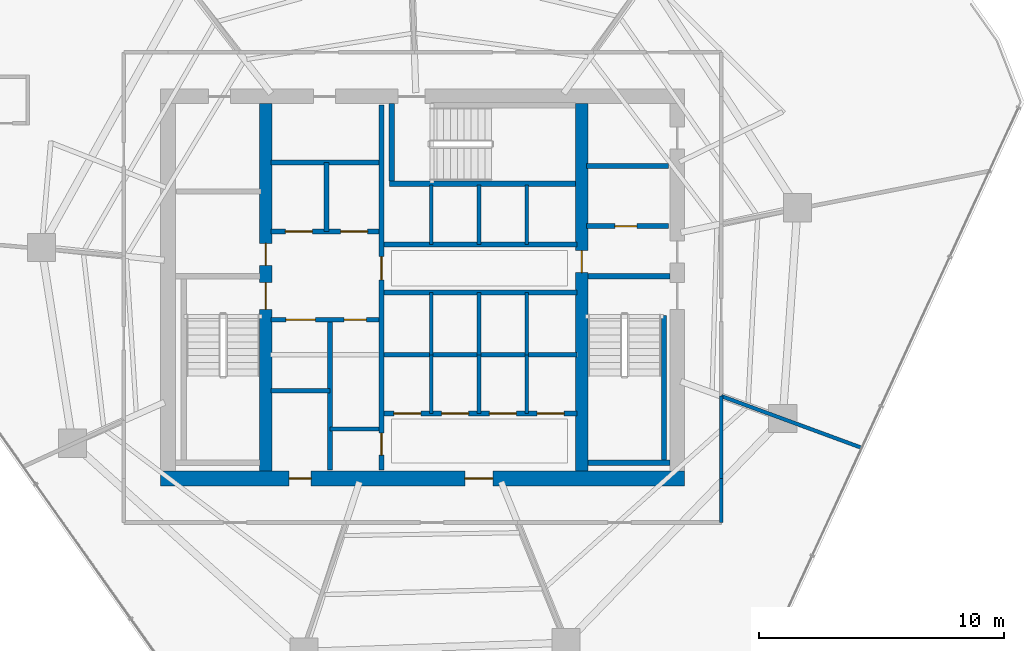
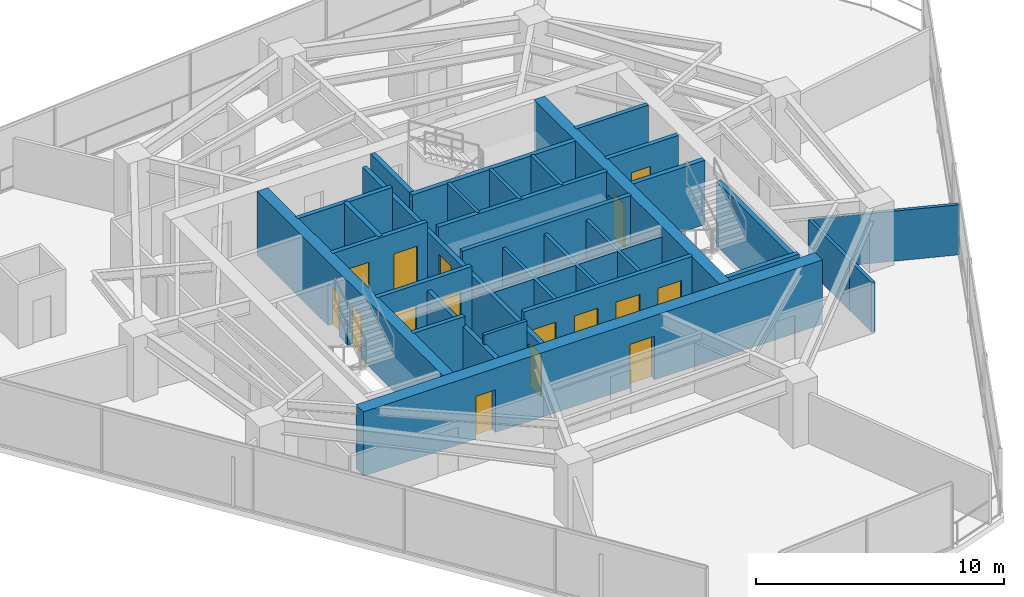
# One storey, part 25 of 30: 34 walls, 16 doors, 16 openings.
"""IFC4 building model written with IfcOpenShell, lengths in metres."""

from ifc_helpers import new_model, si_unit, direction, frame, frame_2d, origin, place, context, subcontext, project, spatial, rectangle, extrude, material, layer, layer_set, type_object, element, fill, save


model = new_model("IFC4")

# Units and contexts
model_context = context("Model", 3, precision=1e-05, world=origin(), true_north=direction((0.0, 1.0)))
body_context = subcontext(model_context, "Body", "Model", "MODEL_VIEW")
ifc_project = project(units=[si_unit("LENGTHUNIT", "METRE"), si_unit("AREAUNIT", "SQUARE_METRE"), si_unit("VOLUMEUNIT", "CUBIC_METRE"), si_unit("PLANEANGLEUNIT", "RADIAN"), si_unit("MASSUNIT", "GRAM", prefix="KILO")], contexts=[model_context])

# Site, building, storey
site_placement = place(None, origin())
site = spatial("IfcSite", under=ifc_project, at=site_placement, CompositionType="ELEMENT")
building_placement = place(site_placement, origin())
building = spatial("IfcBuilding", under=site, at=building_placement, Name="Qarnah Convention Tower", CompositionType="ELEMENT")
storey_placement = place(building_placement, frame((0.0, 0.0, 86.699951171875)))
storey = spatial("IfcBuildingStorey", under=building, at=storey_placement, Name="L22", CompositionType="ELEMENT", Elevation=86.699951171875)

# Wall, openings, doors
ifc_material_1 = material(Name="Concrete C60/75", Category="concrete")
ifc_layer_1 = layer(ifc_material_1, 0.60009765625)
ifc_layer_set_1 = layer_set([ifc_layer_1], Name="Concrete C60/75")
wall_type_1 = type_object("IfcWallType", Name="WL-CORE-600", PredefinedType="SHEAR", material=ifc_layer_set_1)
wall_1_placement = place(storey_placement, frame((26.5, 18.60009765625, 0.0), z_axis=(0.0, 0.0, 1.0), x_axis=(1.0, 0.0, 0.0)))
wall_1 = element("IfcWall", 1, at=wall_1_placement, inside=storey, type_object=wall_type_1, Name="L22 core south shear wall", PredefinedType="SHEAR", context=body_context, shape_type="SweptSolid", body=[
    extrude(rectangle(XDim=21.39990234375, YDim=0.60009765625, at=frame_2d((10.699951171875, 0.0))), origin(), (0.0, 0.0, 1.0), 3.170166015625),
])
opening_1_placement = place(wall_1_placement, frame((12.425048828125, 0.0, 0.0)))
opening_1 = element("IfcOpeningElement", 2, at=opening_1_placement, cuts=wall_1, Name="Opening D-2207", PredefinedType="OPENING", context=body_context, shape_type="SweptSolid", body=[
    extrude(rectangle(XDim=1.14990234375, YDim=2.14990234375, at=frame_2d((0.574951171875, 1.074951171875))), frame((0.0, 0.31005859375, 0.0), z_axis=(0.0, -1.0, 0.0), x_axis=(1.0, 0.0, 0.0)), (0.0, 0.0, 1.0), 0.6201171875),
])
opening_2_placement = place(wall_1_placement, frame((5.25, 0.0, 0.0)))
opening_2 = element("IfcOpeningElement", 3, at=opening_2_placement, cuts=wall_1, Name="Opening D-2213", PredefinedType="OPENING", context=body_context, shape_type="SweptSolid", body=[
    extrude(rectangle(XDim=0.89990234375, YDim=2.10009765625, at=frame_2d((0.449951171875, 1.050048828125))), frame((0.0, 0.31005859375, 0.0), z_axis=(0.0, -1.0, 0.0), x_axis=(1.0, 0.0, 0.0)), (0.0, 0.0, 1.0), 0.6201171875),
])
ifc_material_2 = material(Name="Structural steel S355JR", Category="steel")
door_type_1 = type_object("IfcDoorType", Name="DT-LOBBY-1150", OperationType="NOTDEFINED", PredefinedType="DOOR", material=ifc_material_2)
door_1_placement = place(opening_1_placement, origin())
door_1 = element("IfcDoor", 4, at=door_1_placement, inside=storey, type_object=door_type_1, Name="Door D-2207", OperationType="SINGLE_SWING_RIGHT", OverallHeight=2.14990234375, OverallWidth=1.14990234375, PredefinedType="DOOR", context=body_context, shape_type="SweptSolid", body=[
    extrude(rectangle(XDim=1.14990234375, YDim=2.14990234375, at=frame_2d((0.574951171875, 1.074951171875))), frame((0.0, 0.02490234375, 0.0), z_axis=(0.0, -1.0, 0.0), x_axis=(1.0, 0.0, 0.0)), (0.0, 0.0, 1.0), 0.050048828125),
])
fill(opening_1, door_1)
door_type_2 = type_object("IfcDoorType", Name="DT-RISER-900", OperationType="NOTDEFINED", PredefinedType="DOOR", material=ifc_material_2)
door_2_placement = place(opening_2_placement, origin())
door_2 = element("IfcDoor", 5, at=door_2_placement, inside=storey, type_object=door_type_2, Name="Door D-2213", OperationType="SINGLE_SWING_RIGHT", OverallHeight=2.10009765625, OverallWidth=0.89990234375, PredefinedType="DOOR", context=body_context, shape_type="SweptSolid", body=[
    extrude(rectangle(XDim=0.89990234375, YDim=2.10009765625, at=frame_2d((0.449951171875, 1.050048828125))), frame((0.0, 0.02490234375, 0.0), z_axis=(0.0, -1.0, 0.0), x_axis=(1.0, 0.0, 0.0)), (0.0, 0.0, 1.0), 0.050048828125),
])
fill(opening_2, door_2)

ifc_layer_2 = layer(ifc_material_1, 0.5)
ifc_layer_set_2 = layer_set([ifc_layer_2], Name="Concrete C60/75")
wall_type_2 = type_object("IfcWallType", Name="WL-CORE-INT-400", PredefinedType="SHEAR", material=ifc_layer_set_2)
wall_2_placement = place(storey_placement, frame((30.800048828125, 18.89990234375, 0.0), z_axis=(0.0, 0.0, 1.0), x_axis=(0.0, 1.0, 0.0)))
wall_2 = element("IfcWall", 6, at=wall_2_placement, inside=storey, type_object=wall_type_2, Name="L22 core west spine shear wall", PredefinedType="SHEAR", context=body_context, shape_type="SweptSolid", body=[
    extrude(rectangle(XDim=15.0, YDim=0.5, at=frame_2d((7.5, 0.0))), origin(), (0.0, 0.0, 1.0), 3.170166015625),
])
opening_3_placement = place(wall_2_placement, frame((6.60009765625, 0.0, 0.0)))
opening_3 = element("IfcOpeningElement", 7, at=opening_3_placement, cuts=wall_2, Name="Opening D-2201", PredefinedType="OPENING", context=body_context, shape_type="SweptSolid", body=[
    extrude(rectangle(XDim=1.10009765625, YDim=2.14990234375, at=frame_2d((0.550048828125, 1.074951171875))), frame((0.0, 0.260009765625, 0.0), z_axis=(0.0, -1.0, 0.0), x_axis=(1.0, 0.0, 0.0)), (0.0, 0.0, 1.0), 0.52001953125),
])
opening_4_placement = place(wall_2_placement, frame((8.39990234375, 0.0, 0.0)))
opening_4 = element("IfcOpeningElement", 8, at=opening_4_placement, cuts=wall_2, Name="Opening D-2208", PredefinedType="OPENING", context=body_context, shape_type="SweptSolid", body=[
    extrude(rectangle(XDim=0.89990234375, YDim=2.10009765625, at=frame_2d((0.449951171875, 1.050048828125))), frame((0.0, 0.260009765625, 0.0), z_axis=(0.0, -1.0, 0.0), x_axis=(1.0, 0.0, 0.0)), (0.0, 0.0, 1.0), 0.52001953125),
])
door_3_placement = place(opening_4_placement, origin())
door_3 = element("IfcDoor", 9, at=door_3_placement, inside=storey, type_object=door_type_2, Name="Door D-2208", OperationType="SINGLE_SWING_LEFT", OverallHeight=2.10009765625, OverallWidth=0.89990234375, PredefinedType="DOOR", context=body_context, shape_type="SweptSolid", body=[
    extrude(rectangle(XDim=0.89990234375, YDim=2.10009765625, at=frame_2d((0.449951171875, 1.050048828125))), frame((0.0, 0.02490234375, 0.0), z_axis=(0.0, -1.0, 0.0), x_axis=(1.0, 0.0, 0.0)), (0.0, 0.0, 1.0), 0.050048828125),
])
fill(opening_4, door_3)
door_type_3 = type_object("IfcDoorType", Name="DT-STAIR-1100", OperationType="NOTDEFINED", PredefinedType="DOOR", material=ifc_material_2)
door_4_placement = place(opening_3_placement, origin())
door_4 = element("IfcDoor", 10, at=door_4_placement, inside=storey, type_object=door_type_3, Name="Door D-2201", OperationType="SINGLE_SWING_RIGHT", OverallHeight=2.14990234375, OverallWidth=1.10009765625, PredefinedType="DOOR", context=body_context, shape_type="SweptSolid", body=[
    extrude(rectangle(XDim=1.10009765625, YDim=2.14990234375, at=frame_2d((0.550048828125, 1.074951171875))), frame((0.0, 0.02490234375, 0.0), z_axis=(0.0, -1.0, 0.0), x_axis=(1.0, 0.0, 0.0)), (0.0, 0.0, 1.0), 0.050048828125),
])
fill(opening_3, door_4)

# Wall, opening, door
wall_3_placement = place(storey_placement, frame((43.699951171875, 18.89990234375, 0.0), z_axis=(0.0, 0.0, 1.0), x_axis=(0.0, 1.0, 0.0)))
wall_3 = element("IfcWall", 11, at=wall_3_placement, inside=storey, type_object=wall_type_2, Name="L22 core east spine shear wall", PredefinedType="SHEAR", context=body_context, shape_type="SweptSolid", body=[
    extrude(rectangle(XDim=15.0, YDim=0.5, at=frame_2d((7.5, 0.0))), origin(), (0.0, 0.0, 1.0), 3.170166015625),
])
opening_5_placement = place(wall_3_placement, frame((8.10009765625, 0.0, 0.0)))
opening_5 = element("IfcOpeningElement", 12, at=opening_5_placement, cuts=wall_3, Name="Opening D-2205", PredefinedType="OPENING", context=body_context, shape_type="SweptSolid", body=[
    extrude(rectangle(XDim=0.89990234375, YDim=2.10009765625, at=frame_2d((0.449951171875, 1.050048828125))), frame((0.0, 0.260009765625, 0.0), z_axis=(0.0, -1.0, 0.0), x_axis=(1.0, 0.0, 0.0)), (0.0, 0.0, 1.0), 0.52001953125),
])
door_5_placement = place(opening_5_placement, origin())
door_5 = element("IfcDoor", 13, at=door_5_placement, inside=storey, type_object=door_type_2, Name="Door D-2205", OperationType="SINGLE_SWING_RIGHT", OverallHeight=2.10009765625, OverallWidth=0.89990234375, PredefinedType="DOOR", context=body_context, shape_type="SweptSolid", body=[
    extrude(rectangle(XDim=0.89990234375, YDim=2.10009765625, at=frame_2d((0.449951171875, 1.050048828125))), frame((0.0, 0.02490234375, 0.0), z_axis=(0.0, -1.0, 0.0), x_axis=(1.0, 0.0, 0.0)), (0.0, 0.0, 1.0), 0.050048828125),
])
fill(opening_5, door_5)

ifc_material_3 = material(Name="Concrete C45/55", Category="concrete")
ifc_layer_3 = layer(ifc_material_3, 0.199951171875)
ifc_layer_set_3 = layer_set([ifc_layer_3], Name="Concrete C45/55")
wall_type_3 = type_object("IfcWallType", Name="WL-CORE-PART-200", PredefinedType="SOLIDWALL", material=ifc_layer_set_3)
wall_4_placement = place(storey_placement, frame((43.89990234375, 28.89990234375, 0.0), z_axis=(0.0, 0.0, 1.0), x_axis=(1.0, 0.0, 0.0)))
wall_4 = element("IfcWall", 14, at=wall_4_placement, inside=storey, type_object=wall_type_3, Name="L22 interior wall IW-L22-EVSTN", PredefinedType="SOLIDWALL", context=body_context, shape_type="SweptSolid", body=[
    extrude(rectangle(XDim=3.35009765625, YDim=0.199951171875, at=frame_2d((1.675048828125, 0.0))), origin(), (0.0, 0.0, 1.0), 3.170166015625),
])
opening_6_placement = place(wall_4_placement, frame((1.14990234375, 0.0, 0.0)))
opening_6 = element("IfcOpeningElement", 15, at=opening_6_placement, cuts=wall_4, Name="Opening D-2211", PredefinedType="OPENING", context=body_context, shape_type="SweptSolid", body=[
    extrude(rectangle(XDim=0.89990234375, YDim=2.10009765625, at=frame_2d((0.449951171875, 1.050048828125))), frame((0.0, 0.10986328125, 0.0), z_axis=(0.0, -1.0, 0.0), x_axis=(1.0, 0.0, 0.0)), (0.0, 0.0, 1.0), 0.219970703125),
])
door_6_placement = place(opening_6_placement, origin())
door_6 = element("IfcDoor", 16, at=door_6_placement, inside=storey, type_object=door_type_2, Name="Door D-2211", OperationType="SINGLE_SWING_RIGHT", OverallHeight=2.10009765625, OverallWidth=0.89990234375, PredefinedType="DOOR", context=body_context, shape_type="SweptSolid", body=[
    extrude(rectangle(XDim=0.89990234375, YDim=2.10009765625, at=frame_2d((0.449951171875, 1.050048828125))), frame((0.0, 0.02490234375, 0.0), z_axis=(0.0, -1.0, 0.0), x_axis=(1.0, 0.0, 0.0)), (0.0, 0.0, 1.0), 0.050048828125),
])
fill(opening_6, door_6)

# Wall
wall_5_placement = place(storey_placement, frame((43.89990234375, 31.35009765625, 0.0), z_axis=(0.0, 0.0, 1.0), x_axis=(1.0, 0.0, 0.0)))
element("IfcWall", 17, at=wall_5_placement, inside=storey, type_object=wall_type_3, Name="L22 interior wall IW-L22-WTRN", PredefinedType="SOLIDWALL", context=body_context, shape_type="SweptSolid", body=[
    extrude(rectangle(XDim=3.35009765625, YDim=0.199951171875, at=frame_2d((1.675048828125, 0.0))), origin(), (0.0, 0.0, 1.0), 3.170166015625),
])

# Wall, openings, doors
wall_6_placement = place(storey_placement, frame((35.52001953125, 18.949951171875, 0.0), z_axis=(0.0, 0.0, 1.0), x_axis=(0.0, 1.0, 0.0)))
wall_6 = element("IfcWall", 18, at=wall_6_placement, inside=storey, type_object=wall_type_3, Name="L22 interior wall IW-L22-CSP", PredefinedType="SOLIDWALL", context=body_context, shape_type="SweptSolid", body=[
    extrude(rectangle(XDim=14.900146484375, YDim=0.199951171875, at=frame_2d((7.4501953125, 0.0))), origin(), (0.0, 0.0, 1.0), 2.691162109375),
])
opening_7_placement = place(wall_6_placement, frame((7.7548828125, 0.0, 0.0)))
opening_7 = element("IfcOpeningElement", 19, at=opening_7_placement, cuts=wall_6, Name="Opening D-2204", PredefinedType="OPENING", context=body_context, shape_type="SweptSolid", body=[
    extrude(rectangle(XDim=0.949951171875, YDim=2.14990234375, at=frame_2d((0.47509765625, 1.074951171875))), frame((0.0, 0.10986328125, 0.0), z_axis=(0.0, -1.0, 0.0), x_axis=(1.0, 0.0, 0.0)), (0.0, 0.0, 1.0), 0.219970703125),
])
opening_8_placement = place(wall_6_placement, frame((0.60009765625, 0.0, 0.0)))
opening_8 = element("IfcOpeningElement", 20, at=opening_8_placement, cuts=wall_6, Name="Opening D-2214", PredefinedType="OPENING", context=body_context, shape_type="SweptSolid", body=[
    extrude(rectangle(XDim=0.89990234375, YDim=2.10009765625, at=frame_2d((0.449951171875, 1.050048828125))), frame((0.0, 0.10986328125, 0.0), z_axis=(0.0, -1.0, 0.0), x_axis=(1.0, 0.0, 0.0)), (0.0, 0.0, 1.0), 0.219970703125),
])
ifc_material_4 = material(Name="Oak timber veneer", Category="wood")
door_type_4 = type_object("IfcDoorType", Name="DT-HOTEL-950", OperationType="NOTDEFINED", PredefinedType="DOOR", material=ifc_material_4)
door_7_placement = place(opening_7_placement, origin())
door_7 = element("IfcDoor", 21, at=door_7_placement, inside=storey, type_object=door_type_4, Name="Door D-2204", OperationType="SINGLE_SWING_LEFT", OverallHeight=2.14990234375, OverallWidth=0.949951171875, PredefinedType="DOOR", context=body_context, shape_type="SweptSolid", body=[
    extrude(rectangle(XDim=0.949951171875, YDim=2.14990234375, at=frame_2d((0.47509765625, 1.074951171875))), frame((0.0, 0.02490234375, 0.0), z_axis=(0.0, -1.0, 0.0), x_axis=(1.0, 0.0, 0.0)), (0.0, 0.0, 1.0), 0.050048828125),
])
fill(opening_7, door_7)
door_8_placement = place(opening_8_placement, origin())
door_8 = element("IfcDoor", 22, at=door_8_placement, inside=storey, type_object=door_type_2, Name="Door D-2214", OperationType="SINGLE_SWING_LEFT", OverallHeight=2.10009765625, OverallWidth=0.89990234375, PredefinedType="DOOR", context=body_context, shape_type="SweptSolid", body=[
    extrude(rectangle(XDim=0.89990234375, YDim=2.10009765625, at=frame_2d((0.449951171875, 1.050048828125))), frame((0.0, 0.02490234375, 0.0), z_axis=(0.0, -1.0, 0.0), x_axis=(1.0, 0.0, 0.0)), (0.0, 0.0, 1.0), 0.050048828125),
])
fill(opening_8, door_8)

wall_7_placement = place(storey_placement, frame((31.0, 28.679931640625, 0.0), z_axis=(0.0, 0.0, 1.0), x_axis=(1.0, 0.0, 0.0)))
wall_7 = element("IfcWall", 23, at=wall_7_placement, inside=storey, type_object=wall_type_3, Name="L22 interior wall IW-L22-FFLS", PredefinedType="SOLIDWALL", context=body_context, shape_type="SweptSolid", body=[
    extrude(rectangle(XDim=4.419921875, YDim=0.199951171875, at=frame_2d((2.2099609375, 0.0))), origin(), (0.0, 0.0, 1.0), 3.170166015625),
])
opening_9_placement = place(wall_7_placement, frame((0.60009765625, 0.0, 0.0)))
opening_9 = element("IfcOpeningElement", 24, at=opening_9_placement, cuts=wall_7, Name="Opening LD-2201", PredefinedType="OPENING", context=body_context, shape_type="SweptSolid", body=[
    extrude(rectangle(XDim=1.10009765625, YDim=2.14990234375, at=frame_2d((0.550048828125, 1.074951171875))), frame((0.0, 0.10986328125, 0.0), z_axis=(0.0, -1.0, 0.0), x_axis=(1.0, 0.0, 0.0)), (0.0, 0.0, 1.0), 0.219970703125),
])
opening_10_placement = place(wall_7_placement, frame((2.85009765625, 0.0, 0.0)))
opening_10 = element("IfcOpeningElement", 25, at=opening_10_placement, cuts=wall_7, Name="Opening LD-2202", PredefinedType="OPENING", context=body_context, shape_type="SweptSolid", body=[
    extrude(rectangle(XDim=1.10009765625, YDim=2.14990234375, at=frame_2d((0.550048828125, 1.074951171875))), frame((0.0, 0.10986328125, 0.0), z_axis=(0.0, -1.0, 0.0), x_axis=(1.0, 0.0, 0.0)), (0.0, 0.0, 1.0), 0.219970703125),
])
door_type_5 = type_object("IfcDoorType", Name="DT-LIFT-1100", OperationType="SLIDING_TO_LEFT", PredefinedType="DOOR", material=ifc_material_2)
door_9_placement = place(opening_9_placement, origin())
door_9 = element("IfcDoor", 26, at=door_9_placement, inside=storey, type_object=door_type_5, Name="Door LD-2201", OperationType="SLIDING_TO_LEFT", OverallHeight=2.14990234375, OverallWidth=1.10009765625, PredefinedType="DOOR", context=body_context, shape_type="SweptSolid", body=[
    extrude(rectangle(XDim=1.10009765625, YDim=2.14990234375, at=frame_2d((0.550048828125, 1.074951171875))), frame((0.0, 0.02490234375, 0.0), z_axis=(0.0, -1.0, 0.0), x_axis=(1.0, 0.0, 0.0)), (0.0, 0.0, 1.0), 0.050048828125),
])
fill(opening_9, door_9)
door_10_placement = place(opening_10_placement, origin())
door_10 = element("IfcDoor", 27, at=door_10_placement, inside=storey, type_object=door_type_5, Name="Door LD-2202", OperationType="SLIDING_TO_LEFT", OverallHeight=2.14990234375, OverallWidth=1.10009765625, PredefinedType="DOOR", context=body_context, shape_type="SweptSolid", body=[
    extrude(rectangle(XDim=1.10009765625, YDim=2.14990234375, at=frame_2d((0.550048828125, 1.074951171875))), frame((0.0, 0.02490234375, 0.0), z_axis=(0.0, -1.0, 0.0), x_axis=(1.0, 0.0, 0.0)), (0.0, 0.0, 1.0), 0.050048828125),
])
fill(opening_10, door_10)

# Walls
wall_8_placement = place(storey_placement, frame((31.0, 31.5, 0.0), z_axis=(0.0, 0.0, 1.0), x_axis=(1.0, 0.0, 0.0)))
element("IfcWall", 28, at=wall_8_placement, inside=storey, type_object=wall_type_3, Name="L22 interior wall IW-L22-FFLN", PredefinedType="SOLIDWALL", context=body_context, shape_type="SweptSolid", body=[
    extrude(rectangle(XDim=4.419921875, YDim=0.199951171875, at=frame_2d((2.2099609375, 0.0))), origin(), (0.0, 0.0, 1.0), 3.170166015625),
])
wall_9_placement = place(storey_placement, frame((33.280029296875, 28.679931640625, 0.0), z_axis=(0.0, 0.0, 1.0), x_axis=(0.0, 1.0, 0.0)))
element("IfcWall", 29, at=wall_9_placement, inside=storey, type_object=wall_type_3, Name="L22 interior wall IW-L22-FFLM", PredefinedType="SOLIDWALL", context=body_context, shape_type="SweptSolid", body=[
    extrude(rectangle(XDim=2.820068359375, YDim=0.199951171875, at=frame_2d((1.41015625, 0.0))), origin(), (0.0, 0.0, 1.0), 3.170166015625),
])

# Wall, openings, doors
wall_10_placement = place(storey_placement, frame((31.0, 25.080078125, 0.0), z_axis=(0.0, 0.0, 1.0), x_axis=(1.0, 0.0, 0.0)))
wall_10 = element("IfcWall", 30, at=wall_10_placement, inside=storey, type_object=wall_type_3, Name="L22 interior wall IW-L22-FFLBS", PredefinedType="SOLIDWALL", context=body_context, shape_type="SweptSolid", body=[
    extrude(rectangle(XDim=4.419921875, YDim=0.199951171875, at=frame_2d((2.2099609375, 0.0))), origin(), (0.0, 0.0, 1.0), 3.170166015625),
])
opening_11_placement = place(wall_10_placement, frame((3.0, 0.0, 0.0)))
opening_11 = element("IfcOpeningElement", 31, at=opening_11_placement, cuts=wall_10, Name="Opening D-2215", PredefinedType="OPENING", context=body_context, shape_type="SweptSolid", body=[
    extrude(rectangle(XDim=0.89990234375, YDim=2.10009765625, at=frame_2d((0.449951171875, 1.050048828125))), frame((0.0, 0.10986328125, 0.0), z_axis=(0.0, -1.0, 0.0), x_axis=(1.0, 0.0, 0.0)), (0.0, 0.0, 1.0), 0.219970703125),
])
opening_12_placement = place(wall_10_placement, frame((0.6201171875, 0.0, 0.0)))
opening_12 = element("IfcOpeningElement", 32, at=opening_12_placement, cuts=wall_10, Name="Opening LD-2203", PredefinedType="OPENING", context=body_context, shape_type="SweptSolid", body=[
    extrude(rectangle(XDim=1.199951171875, YDim=2.14990234375, at=frame_2d((0.60009765625, 1.074951171875))), frame((0.0, 0.10986328125, 0.0), z_axis=(0.0, -1.0, 0.0), x_axis=(1.0, 0.0, 0.0)), (0.0, 0.0, 1.0), 0.219970703125),
])
door_type_6 = type_object("IfcDoorType", Name="DT-LIFT-1200", OperationType="SLIDING_TO_LEFT", PredefinedType="DOOR", material=ifc_material_2)
door_11_placement = place(opening_12_placement, origin())
door_11 = element("IfcDoor", 33, at=door_11_placement, inside=storey, type_object=door_type_6, Name="Door LD-2203", OperationType="SLIDING_TO_LEFT", OverallHeight=2.14990234375, OverallWidth=1.199951171875, PredefinedType="DOOR", context=body_context, shape_type="SweptSolid", body=[
    extrude(rectangle(XDim=1.199951171875, YDim=2.14990234375, at=frame_2d((0.60009765625, 1.074951171875))), frame((0.0, 0.02490234375, 0.0), z_axis=(0.0, -1.0, 0.0), x_axis=(1.0, 0.0, 0.0)), (0.0, 0.0, 1.0), 0.050048828125),
])
fill(opening_12, door_11)
door_12_placement = place(opening_11_placement, origin())
door_12 = element("IfcDoor", 34, at=door_12_placement, inside=storey, type_object=door_type_2, Name="Door D-2215", OperationType="SINGLE_SWING_RIGHT", OverallHeight=2.10009765625, OverallWidth=0.89990234375, PredefinedType="DOOR", context=body_context, shape_type="SweptSolid", body=[
    extrude(rectangle(XDim=0.89990234375, YDim=2.10009765625, at=frame_2d((0.449951171875, 1.050048828125))), frame((0.0, 0.02490234375, 0.0), z_axis=(0.0, -1.0, 0.0), x_axis=(1.0, 0.0, 0.0)), (0.0, 0.0, 1.0), 0.050048828125),
])
fill(opening_11, door_12)

# Walls
wall_11_placement = place(storey_placement, frame((33.419921875, 18.949951171875, 0.0), z_axis=(0.0, 0.0, 1.0), x_axis=(0.0, 1.0, 0.0)))
element("IfcWall", 35, at=wall_11_placement, inside=storey, type_object=wall_type_3, Name="L22 interior wall IW-L22-SVLE", PredefinedType="SOLIDWALL", context=body_context, shape_type="SweptSolid", body=[
    extrude(rectangle(XDim=6.130126953125, YDim=0.199951171875, at=frame_2d((3.06494140625, 0.0))), origin(), (0.0, 0.0, 1.0), 2.691162109375),
])
wall_12_placement = place(storey_placement, frame((31.0, 22.179931640625, 0.0), z_axis=(0.0, 0.0, 1.0), x_axis=(1.0, 0.0, 0.0)))
element("IfcWall", 36, at=wall_12_placement, inside=storey, type_object=wall_type_3, Name="L22 interior wall IW-L22-SVLS", PredefinedType="SOLIDWALL", context=body_context, shape_type="SweptSolid", body=[
    extrude(rectangle(XDim=2.419921875, YDim=0.199951171875, at=frame_2d((1.2099609375, 0.0))), origin(), (0.0, 0.0, 1.0), 3.170166015625),
])
for number, where, z_axis, x_axis, name in (
    (37, (35.6201171875, 28.14990234375, 0.0), (0.0, 0.0, 1.0), (1.0, 0.0, 0.0), "L22 interior wall IW-L22-PHS"),
    (38, (35.6201171875, 26.199951171875, 0.0), (0.0, 0.0, 1.0), (1.0, 0.0, 0.0), "L22 interior wall IW-L22-PMN"),
):
    element("IfcWall", number, at=place(storey_placement, frame(where, z_axis=z_axis, x_axis=x_axis)), inside=storey, type_object=wall_type_3, Name=name, PredefinedType="SOLIDWALL", context=body_context, shape_type="SweptSolid", body=[
        extrude(rectangle(XDim=7.8798828125, YDim=0.199951171875, at=frame_2d((3.93994140625, 0.0))), origin(), (0.0, 0.0, 1.0), 3.170166015625),
    ])
wall_13_placement = place(storey_placement, frame((35.6201171875, 23.64990234375, 0.0), z_axis=(0.0, 0.0, 1.0), x_axis=(1.0, 0.0, 0.0)))
element("IfcWall", 39, at=wall_13_placement, inside=storey, type_object=wall_type_3, Name="L22 interior wall IW-L22-PMPL", PredefinedType="SOLIDWALL", context=body_context, shape_type="SweptSolid", body=[
    extrude(rectangle(XDim=7.8798828125, YDim=0.199951171875, at=frame_2d((3.93994140625, 0.0))), origin(), (0.0, 0.0, 1.0), 2.691162109375),
])

# Wall, openings, doors
wall_14_placement = place(storey_placement, frame((35.6201171875, 21.25, 0.0), z_axis=(0.0, 0.0, 1.0), x_axis=(1.0, 0.0, 0.0)))
wall_14 = element("IfcWall", 40, at=wall_14_placement, inside=storey, type_object=wall_type_3, Name="L22 interior wall IW-L22-PLS", PredefinedType="SOLIDWALL", context=body_context, shape_type="SweptSolid", body=[
    extrude(rectangle(XDim=7.8798828125, YDim=0.199951171875, at=frame_2d((3.93994140625, 0.0))), origin(), (0.0, 0.0, 1.0), 3.170166015625),
])
opening_13_placement = place(wall_14_placement, frame((0.405029296875, 0.0, 0.0)))
opening_13 = element("IfcOpeningElement", 41, at=opening_13_placement, cuts=wall_14, Name="Opening LD-2204", PredefinedType="OPENING", context=body_context, shape_type="SweptSolid", body=[
    extrude(rectangle(XDim=1.10009765625, YDim=2.14990234375, at=frame_2d((0.550048828125, 1.074951171875))), frame((0.0, 0.10986328125, 0.0), z_axis=(0.0, -1.0, 0.0), x_axis=(1.0, 0.0, 0.0)), (0.0, 0.0, 1.0), 0.219970703125),
])
opening_14_placement = place(wall_14_placement, frame((2.35498046875, 0.0, 0.0)))
opening_14 = element("IfcOpeningElement", 42, at=opening_14_placement, cuts=wall_14, Name="Opening LD-2205", PredefinedType="OPENING", context=body_context, shape_type="SweptSolid", body=[
    extrude(rectangle(XDim=1.10009765625, YDim=2.14990234375, at=frame_2d((0.550048828125, 1.074951171875))), frame((0.0, 0.10986328125, 0.0), z_axis=(0.0, -1.0, 0.0), x_axis=(1.0, 0.0, 0.0)), (0.0, 0.0, 1.0), 0.219970703125),
])
opening_15_placement = place(wall_14_placement, frame((4.304931640625, 0.0, 0.0)))
opening_15 = element("IfcOpeningElement", 43, at=opening_15_placement, cuts=wall_14, Name="Opening LD-2206", PredefinedType="OPENING", context=body_context, shape_type="SweptSolid", body=[
    extrude(rectangle(XDim=1.10009765625, YDim=2.14990234375, at=frame_2d((0.550048828125, 1.074951171875))), frame((0.0, 0.10986328125, 0.0), z_axis=(0.0, -1.0, 0.0), x_axis=(1.0, 0.0, 0.0)), (0.0, 0.0, 1.0), 0.219970703125),
])
opening_16_placement = place(wall_14_placement, frame((6.2548828125, 0.0, 0.0)))
opening_16 = element("IfcOpeningElement", 44, at=opening_16_placement, cuts=wall_14, Name="Opening LD-2207", PredefinedType="OPENING", context=body_context, shape_type="SweptSolid", body=[
    extrude(rectangle(XDim=1.10009765625, YDim=2.14990234375, at=frame_2d((0.550048828125, 1.074951171875))), frame((0.0, 0.10986328125, 0.0), z_axis=(0.0, -1.0, 0.0), x_axis=(1.0, 0.0, 0.0)), (0.0, 0.0, 1.0), 0.219970703125),
])
door_13_placement = place(opening_13_placement, origin())
door_13 = element("IfcDoor", 45, at=door_13_placement, inside=storey, type_object=door_type_5, Name="Door LD-2204", OperationType="SLIDING_TO_LEFT", OverallHeight=2.14990234375, OverallWidth=1.10009765625, PredefinedType="DOOR", context=body_context, shape_type="SweptSolid", body=[
    extrude(rectangle(XDim=1.10009765625, YDim=2.14990234375, at=frame_2d((0.550048828125, 1.074951171875))), frame((0.0, 0.02490234375, 0.0), z_axis=(0.0, -1.0, 0.0), x_axis=(1.0, 0.0, 0.0)), (0.0, 0.0, 1.0), 0.050048828125),
])
fill(opening_13, door_13)
door_14_placement = place(opening_14_placement, origin())
door_14 = element("IfcDoor", 46, at=door_14_placement, inside=storey, type_object=door_type_5, Name="Door LD-2205", OperationType="SLIDING_TO_LEFT", OverallHeight=2.14990234375, OverallWidth=1.10009765625, PredefinedType="DOOR", context=body_context, shape_type="SweptSolid", body=[
    extrude(rectangle(XDim=1.10009765625, YDim=2.14990234375, at=frame_2d((0.550048828125, 1.074951171875))), frame((0.0, 0.02490234375, 0.0), z_axis=(0.0, -1.0, 0.0), x_axis=(1.0, 0.0, 0.0)), (0.0, 0.0, 1.0), 0.050048828125),
])
fill(opening_14, door_14)
door_15_placement = place(opening_15_placement, origin())
door_15 = element("IfcDoor", 47, at=door_15_placement, inside=storey, type_object=door_type_5, Name="Door LD-2206", OperationType="SLIDING_TO_LEFT", OverallHeight=2.14990234375, OverallWidth=1.10009765625, PredefinedType="DOOR", context=body_context, shape_type="SweptSolid", body=[
    extrude(rectangle(XDim=1.10009765625, YDim=2.14990234375, at=frame_2d((0.550048828125, 1.074951171875))), frame((0.0, 0.02490234375, 0.0), z_axis=(0.0, -1.0, 0.0), x_axis=(1.0, 0.0, 0.0)), (0.0, 0.0, 1.0), 0.050048828125),
])
fill(opening_15, door_15)
door_16_placement = place(opening_16_placement, origin())
door_16 = element("IfcDoor", 48, at=door_16_placement, inside=storey, type_object=door_type_5, Name="Door LD-2207", OperationType="SLIDING_TO_LEFT", OverallHeight=2.14990234375, OverallWidth=1.10009765625, PredefinedType="DOOR", context=body_context, shape_type="SweptSolid", body=[
    extrude(rectangle(XDim=1.10009765625, YDim=2.14990234375, at=frame_2d((0.550048828125, 1.074951171875))), frame((0.0, 0.02490234375, 0.0), z_axis=(0.0, -1.0, 0.0), x_axis=(1.0, 0.0, 0.0)), (0.0, 0.0, 1.0), 0.050048828125),
])
fill(opening_16, door_16)

# Walls
ifc_layer_4 = layer(ifc_material_1, 0.219970703125)
ifc_layer_set_4 = layer_set([ifc_layer_4], Name="Concrete C60/75")
wall_type_4 = type_object("IfcWallType", Name="WL-CORE-STAIR-220", PredefinedType="SHEAR", material=ifc_layer_set_4)
wall_15_placement = place(storey_placement, frame((43.949951171875, 26.860107421875, 0.0), z_axis=(0.0, 0.0, 1.0), x_axis=(1.0, 0.0, 0.0)))
element("IfcWall", 49, at=wall_15_placement, inside=storey, type_object=wall_type_4, Name="L22 stair shaft shear wall SW-L22-ST2N", PredefinedType="SHEAR", context=body_context, shape_type="SweptSolid", body=[
    extrude(rectangle(XDim=3.35009765625, YDim=0.219970703125, at=frame_2d((1.675048828125, 0.0))), origin(), (0.0, 0.0, 1.0), 3.170166015625),
])
wall_16_placement = place(storey_placement, frame((47.06005859375, 19.35009765625, 0.0), z_axis=(0.0, 0.0, 1.0), x_axis=(0.0, 1.0, 0.0)))
element("IfcWall", 50, at=wall_16_placement, inside=storey, type_object=wall_type_4, Name="L22 stair shaft shear wall SW-L22-ST2E", PredefinedType="SHEAR", context=body_context, shape_type="SweptSolid", body=[
    extrude(rectangle(XDim=5.89990234375, YDim=0.219970703125, at=frame_2d((2.949951171875, 0.0))), origin(), (0.0, 0.0, 1.0), 3.170166015625),
])
wall_17_placement = place(storey_placement, frame((43.949951171875, 19.239990234375, 0.0), z_axis=(0.0, 0.0, 1.0), x_axis=(1.0, 0.0, 0.0)))
element("IfcWall", 51, at=wall_17_placement, inside=storey, type_object=wall_type_4, Name="L22 stair shaft shear wall SW-L22-ST2S", PredefinedType="SHEAR", context=body_context, shape_type="SweptSolid", body=[
    extrude(rectangle(XDim=3.35009765625, YDim=0.219970703125, at=frame_2d((1.675048828125, 0.0))), origin(), (0.0, 0.0, 1.0), 3.170166015625),
])
wall_18_placement = place(storey_placement, frame((35.840087890625, 30.639892578125, 0.0), z_axis=(0.0, 0.0, 1.0), x_axis=(1.0, 0.0, 0.0)))
element("IfcWall", 52, at=wall_18_placement, inside=storey, type_object=wall_type_4, Name="L22 stair shaft shear wall SW-L22-ST3S", PredefinedType="SHEAR", context=body_context, shape_type="SweptSolid", body=[
    extrude(rectangle(XDim=7.60986328125, YDim=0.219970703125, at=frame_2d((3.804931640625, 0.0))), origin(), (0.0, 0.0, 1.0), 3.170166015625),
])
wall_19_placement = place(storey_placement, frame((35.93994140625, 30.75, 0.0), z_axis=(0.0, 0.0, 1.0), x_axis=(0.0, 1.0, 0.0)))
element("IfcWall", 53, at=wall_19_placement, inside=storey, type_object=wall_type_4, Name="L22 stair shaft shear wall SW-L22-ST3W", PredefinedType="SHEAR", context=body_context, shape_type="SweptSolid", body=[
    extrude(rectangle(XDim=3.14990234375, YDim=0.219970703125, at=frame_2d((1.574951171875, 0.0))), origin(), (0.0, 0.0, 1.0), 3.170166015625),
])
ifc_material_5 = material(Name="Gypsum partition board")
ifc_layer_5 = layer(ifc_material_5, 0.14990234375)
ifc_layer_set_5 = layer_set([ifc_layer_5], Name="Gypsum partition board")
wall_type_5 = type_object("IfcWallType", Name="WL-SUITE-150", PredefinedType="PARTITIONING", material=ifc_layer_set_5)
wall_20_placement = place(storey_placement, frame((33.419921875, 20.6201171875, 0.0), z_axis=(0.0, 0.0, 1.0), x_axis=(1.0, 0.0, 0.0)))
element("IfcWall", 54, at=wall_20_placement, inside=storey, type_object=wall_type_5, Name="L22 interior wall IW-L22-CSV1", PredefinedType="PARTITIONING", context=body_context, shape_type="SweptSolid", body=[
    extrude(rectangle(XDim=2.0, YDim=0.14990234375, at=frame_2d((1.0, 0.0))), origin(), (0.0, 0.0, 1.0), 3.170166015625),
])
for number, where, z_axis, x_axis, name in (
    (55, (37.550048828125, 28.14990234375, 0.0), (0.0, 0.0, 1.0), (0.0, 1.0, 0.0), "L22 interior wall IW-L22-PHD1"),
    (56, (39.5, 28.14990234375, 0.0), (0.0, 0.0, 1.0), (0.0, 1.0, 0.0), "L22 interior wall IW-L22-PHD2"),
    (57, (41.449951171875, 28.14990234375, 0.0), (0.0, 0.0, 1.0), (0.0, 1.0, 0.0), "L22 interior wall IW-L22-PHD3"),
):
    element("IfcWall", number, at=place(storey_placement, frame(where, z_axis=z_axis, x_axis=x_axis)), inside=storey, type_object=wall_type_5, Name=name, PredefinedType="PARTITIONING", context=body_context, shape_type="SweptSolid", body=[
        extrude(rectangle(XDim=2.43017578125, YDim=0.14990234375, at=frame_2d((1.215087890625, 0.0))), origin(), (0.0, 0.0, 1.0), 3.170166015625),
    ])
for number, where, z_axis, x_axis, name in (
    (58, (37.550048828125, 23.64990234375, 0.0), (0.0, 0.0, 1.0), (0.0, 1.0, 0.0), "L22 interior wall IW-L22-PMD1"),
    (59, (39.5, 23.64990234375, 0.0), (0.0, 0.0, 1.0), (0.0, 1.0, 0.0), "L22 interior wall IW-L22-PMD2"),
    (60, (41.449951171875, 23.64990234375, 0.0), (0.0, 0.0, 1.0), (0.0, 1.0, 0.0), "L22 interior wall IW-L22-PMD3"),
):
    element("IfcWall", number, at=place(storey_placement, frame(where, z_axis=z_axis, x_axis=x_axis)), inside=storey, type_object=wall_type_5, Name=name, PredefinedType="PARTITIONING", context=body_context, shape_type="SweptSolid", body=[
        extrude(rectangle(XDim=2.550048828125, YDim=0.14990234375, at=frame_2d((1.27490234375, 0.0))), origin(), (0.0, 0.0, 1.0), 2.691162109375),
    ])
for number, where, z_axis, x_axis, name in (
    (61, (37.550048828125, 21.25, 0.0), (0.0, 0.0, 1.0), (0.0, 1.0, 0.0), "L22 interior wall IW-L22-PLD1"),
    (62, (39.5, 21.25, 0.0), (0.0, 0.0, 1.0), (0.0, 1.0, 0.0), "L22 interior wall IW-L22-PLD2"),
    (63, (41.449951171875, 21.25, 0.0), (0.0, 0.0, 1.0), (0.0, 1.0, 0.0), "L22 interior wall IW-L22-PLD3"),
):
    element("IfcWall", number, at=place(storey_placement, frame(where, z_axis=z_axis, x_axis=x_axis)), inside=storey, type_object=wall_type_5, Name=name, PredefinedType="PARTITIONING", context=body_context, shape_type="SweptSolid", body=[
        extrude(rectangle(XDim=2.39990234375, YDim=0.14990234375, at=frame_2d((1.199951171875, 0.0))), origin(), (0.0, 0.0, 1.0), 2.691162109375),
    ])
wall_21_placement = place(storey_placement, frame((55.176025390625, 19.8330078125, 0.0), z_axis=(0.0, 0.0, 1.0), x_axis=(-0.938400664373, 0.345549118222, 0.0)))
element("IfcWall", 64, at=wall_21_placement, inside=storey, type_object=wall_type_5, Name="L22 interior wall IW-L22-R-34", PredefinedType="PARTITIONING", context=body_context, shape_type="SweptSolid", body=[
    extrude(rectangle(XDim=6.1552734375, YDim=0.14990234375, at=frame_2d((3.07763671875, 0.0))), origin(), (0.0, 0.0, 1.0), 2.467041015625),
])
wall_22_placement = place(storey_placement, frame((49.39990234375, 21.9599609375, 0.0), z_axis=(0.0, 0.0, 1.0), x_axis=(0.0, -1.0, 0.0)))
element("IfcWall", 65, at=wall_22_placement, inside=storey, type_object=wall_type_5, Name="L22 interior wall IW-L22-R-35", PredefinedType="PARTITIONING", context=body_context, shape_type="SweptSolid", body=[
    extrude(rectangle(XDim=3.35986328125, YDim=0.14990234375, at=frame_2d((1.679931640625, 0.0))), origin(), (0.0, 0.0, 1.0), 2.455078125),
])
wall_23_placement = place(storey_placement, frame((49.39990234375, 18.60009765625, 0.0), z_axis=(0.0, 0.0, 1.0), x_axis=(0.0, -1.0, 0.0)))
element("IfcWall", 66, at=wall_23_placement, inside=storey, type_object=wall_type_5, Name="L22 interior wall IW-L22-R-36", PredefinedType="PARTITIONING", context=body_context, shape_type="SweptSolid", body=[
    extrude(rectangle(XDim=1.800048828125, YDim=0.14990234375, at=frame_2d((0.89990234375, 0.0))), origin(), (0.0, 0.0, 1.0), 2.455078125),
])

save(model, "model.ifc")
